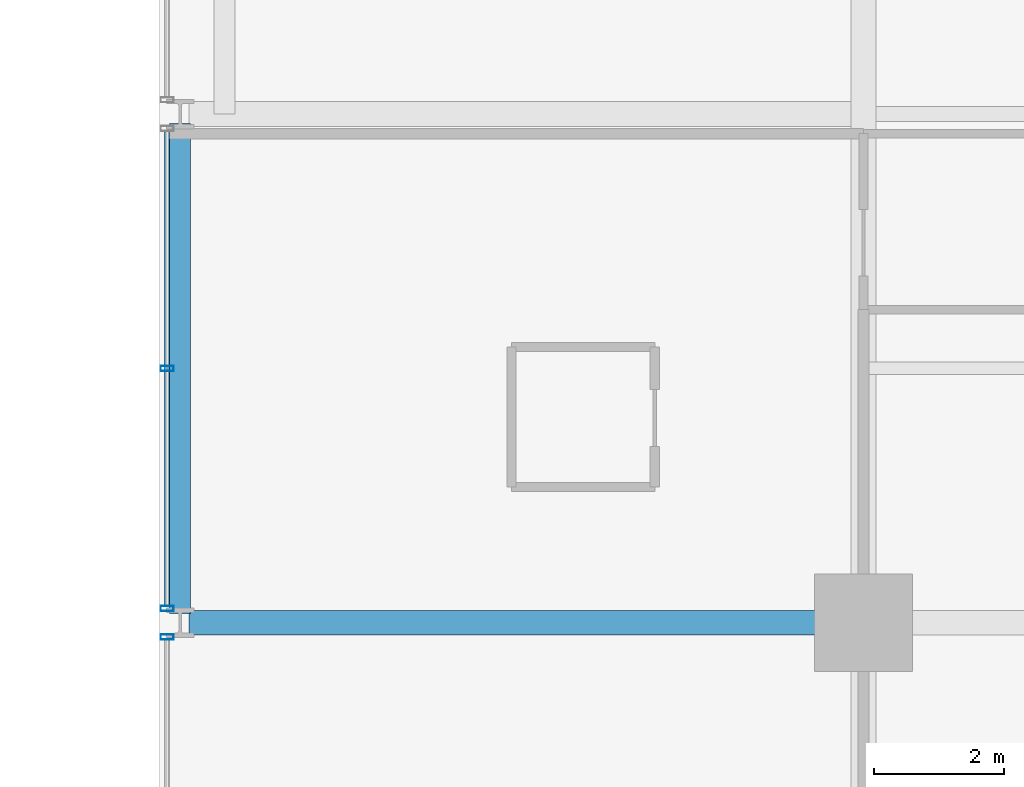
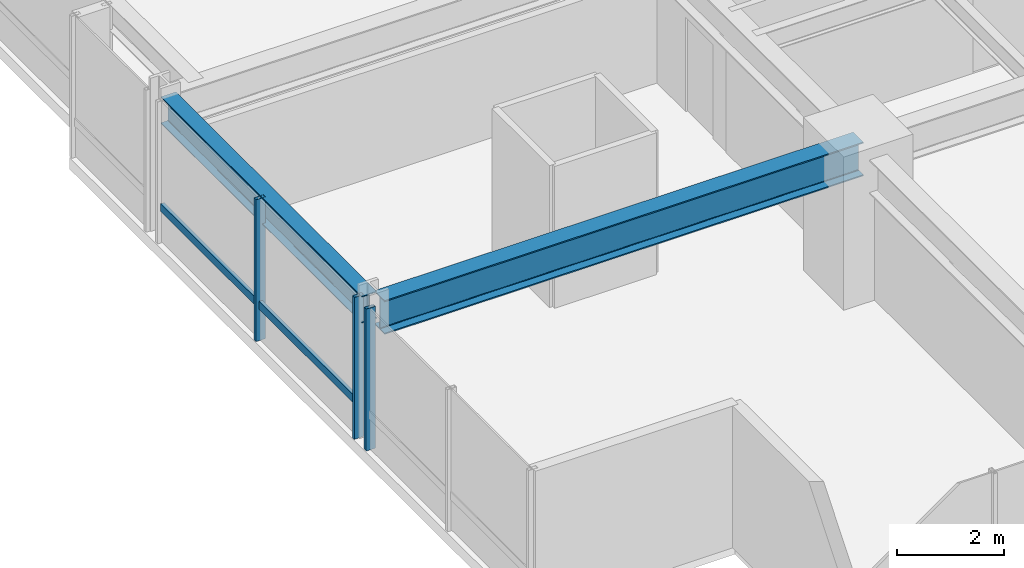
# One storey, part 4 of 33: 4 members, 2 beams, 2 elements without a shape of their own.
"""IFC4 building model written with IfcOpenShell, lengths in metres."""

from ifc_helpers import new_model, si_unit, direction, frame, origin, origin_2d, place, context, subcontext, project, spatial, hollow_rectangle, i_section, extrude, material, layer, layer_set, material_profile, profile_set, type_object, element, aggregate, save


model = new_model("IFC4")

# Units and contexts
model_context = context("Model", 3, precision=1e-05, world=origin(), true_north=direction((0.0, 1.0)))
body_context = subcontext(model_context, "Body", "Model", "MODEL_VIEW")
ifc_project = project(units=[si_unit("LENGTHUNIT", "METRE"), si_unit("AREAUNIT", "SQUARE_METRE"), si_unit("VOLUMEUNIT", "CUBIC_METRE"), si_unit("PLANEANGLEUNIT", "RADIAN"), si_unit("MASSUNIT", "GRAM", prefix="KILO")], contexts=[model_context])

# Site, building, storey
site_placement = place(None, origin())
site = spatial("IfcSite", under=ifc_project, at=site_placement, CompositionType="ELEMENT")
building_placement = place(site_placement, origin())
building = spatial("IfcBuilding", under=site, at=building_placement, Name="Drelvath Grand Hotel", CompositionType="ELEMENT")
storey_placement = place(building_placement, frame((0.0, 0.0, 105.800048828125)))
storey = spatial("IfcBuildingStorey", under=building, at=storey_placement, Name="L26", CompositionType="ELEMENT", Elevation=105.800048828125)

# Curtain wall, member
ifc_material_1 = material(Name="Champagne Bronze Anodised Aluminium Frame", Category="aluminium")
ifc_layer = layer(ifc_material_1, 0.199951171875)
ifc_layer_set = layer_set([ifc_layer], Name="Champagne Bronze Anodised Aluminium Frame")
curtain_wall_type = type_object("IfcCurtainWallType", Name="Stick Curtain Wall CW-03 Champagne Bronze Mid-Rise", PredefinedType="NOTDEFINED", material=ifc_layer_set)
curtain_wall_1_placement = place(storey_placement, origin())
curtain_wall_1 = element("IfcCurtainWall", 1, at=curtain_wall_1_placement, inside=storey, type_object=curtain_wall_type, Name="L26 CW-03 Curtain Wall CW03-L26-WS2", PredefinedType="NOTDEFINED")
ifc_material_profile_1 = material_profile(ifc_material_1, hollow_rectangle(XDim=0.074951171875, YDim=0.179931640625, WallThickness=0.0048828125, at=origin_2d()), Name="HSS180X75X5")
ifc_profile_set_1 = profile_set([ifc_material_profile_1], Name="Champagne Bronze Anodised Aluminium Frame")
member_type_1 = type_object("IfcMemberType", Name="Curtain Wall Horizontal Transom CW-03 HSS180X75X5", PredefinedType="USERDEFINED", material=ifc_profile_set_1)
member_1_placement = place(storey_placement, frame((-26.8798828125, 11.0595703125, 0.81005859375), z_axis=(0.0, 1.0, 0.0), x_axis=(-1.0, 0.0, 0.0)))
member_1 = element("IfcMember", 2, at=member_1_placement, type_object=member_type_1, Name="CW03-L26-WS2 Sill Transom", ObjectType="TRANSOM", PredefinedType="USERDEFINED", context=body_context, shape_type="SweptSolid", body=[
    extrude(hollow_rectangle(XDim=0.074951171875, YDim=0.179931640625, WallThickness=0.0048828125, at=origin_2d()), origin(), (0.0, 0.0, 1.0), 7.28076171875),
])

curtain_wall_2_placement = place(storey_placement, origin())
curtain_wall_2 = element("IfcCurtainWall", 3, at=curtain_wall_2_placement, inside=storey, type_object=curtain_wall_type, Name="L26 CW-03 Curtain Wall CW03-L26-WS1", PredefinedType="NOTDEFINED")
ifc_material_profile_2 = material_profile(ifc_material_1, hollow_rectangle(XDim=0.080078125, YDim=0.199951171875, WallThickness=0.0048828125, at=origin_2d()), Name="HSS200X80X5")
ifc_profile_set_2 = profile_set([ifc_material_profile_2], Name="Champagne Bronze Anodised Aluminium Frame")
member_type_2 = type_object("IfcMemberType", Name="Curtain Wall Vertical Mullion CW-03 HSS200X80X5", PredefinedType="MULLION", material=ifc_profile_set_2)
member_2_placement = place(storey_placement, frame((-26.8798828125, 10.580322265625, 0.0), z_axis=(0.0, 0.0, 1.0), x_axis=(0.0, 1.0, 0.0)))
member_2 = element("IfcMember", 4, at=member_2_placement, type_object=member_type_2, Name="CW03-L26-WS1 Mullion 3", PredefinedType="MULLION", context=body_context, shape_type="SweptSolid", body=[
    extrude(hollow_rectangle(XDim=0.080078125, YDim=0.199951171875, WallThickness=0.0048828125, at=origin_2d()), origin(), (0.0, 0.0, 1.0), 3.239990234375),
])
aggregate(curtain_wall_2, [member_2])

# Member
member_3_placement = place(storey_placement, frame((-26.8798828125, 11.01953125, 0.0), z_axis=(0.0, 0.0, 1.0), x_axis=(0.0, 1.0, 0.0)))
member_3 = element("IfcMember", 5, at=member_3_placement, type_object=member_type_2, Name="CW03-L26-WS2 Mullion 1", PredefinedType="MULLION", context=body_context, shape_type="SweptSolid", body=[
    extrude(hollow_rectangle(XDim=0.080078125, YDim=0.199951171875, WallThickness=0.0048828125, at=origin_2d()), origin(), (0.0, 0.0, 1.0), 3.239990234375),
])

member_4_placement = place(storey_placement, frame((-26.8798828125, 14.699951171875, 0.0), z_axis=(0.0, 0.0, 1.0), x_axis=(0.0, 1.0, 0.0)))
member_4 = element("IfcMember", 6, at=member_4_placement, type_object=member_type_2, Name="CW03-L26-WS2 Mullion 2", PredefinedType="MULLION", context=body_context, shape_type="SweptSolid", body=[
    extrude(hollow_rectangle(XDim=0.080078125, YDim=0.199951171875, WallThickness=0.0048828125, at=origin_2d()), origin(), (0.0, 0.0, 1.0), 3.239990234375),
])

aggregate(curtain_wall_1, [member_3, member_4, member_1])

# Beams
ifc_material_2 = material(Name="Steel ASTM A992 Gr 50", Category="steel")
ifc_material_profile_3 = material_profile(ifc_material_2, i_section(OverallWidth=0.323974609375, OverallDepth=0.611083984375, WebThickness=0.0126953125, FlangeThickness=0.01904296875, FilletRadius=0.02197265625, at=origin_2d()), Name="W24X104")
ifc_profile_set_3 = profile_set([ifc_material_profile_3], Name="Steel ASTM A992 Gr 50")
beam_type_1 = type_object("IfcBeamType", Name="Perimeter Spandrel Beam W24X104", PredefinedType="SPANDREL", material=ifc_profile_set_3)
beam_1_placement = place(storey_placement, frame((-26.679931640625, 10.93994140625, 2.9345703125), z_axis=(0.0, 1.0, 0.0), x_axis=(-1.0, 0.0, 0.0)))
element("IfcBeam", 7, at=beam_1_placement, inside=storey, type_object=beam_type_1, Name="L26 Spandrel West S", PredefinedType="SPANDREL", context=body_context, shape_type="SweptSolid", body=[
    extrude(i_section(OverallWidth=0.323974609375, OverallDepth=0.611083984375, WebThickness=0.0126953125, FlangeThickness=0.01904296875, FilletRadius=0.02197265625, at=origin_2d()), origin(), (0.0, 0.0, 1.0), 7.52001953125),
])
ifc_material_profile_4 = material_profile(ifc_material_2, i_section(OverallWidth=0.380615234375, OverallDepth=0.773193359375, WebThickness=0.0166015625, FlangeThickness=0.027099609375, FilletRadius=0.02490234375, at=origin_2d()), Name="W30X173")
ifc_profile_set_4 = profile_set([ifc_material_profile_4], Name="Steel ASTM A992 Gr 50")
beam_type_2 = type_object("IfcBeamType", Name="Primary Floor Girder W30X173", PredefinedType="BEAM", material=ifc_profile_set_4)
beam_2_placement = place(storey_placement, frame((-26.5400390625, 10.800048828125, 2.853271484375), z_axis=(1.0, 0.0, 0.0), x_axis=(0.0, 1.0, 0.0)))
element("IfcBeam", 8, at=beam_2_placement, inside=storey, type_object=beam_type_2, Name="L26 West Grid Girder C", PredefinedType="BEAM", context=body_context, shape_type="SweptSolid", body=[
    extrude(i_section(OverallWidth=0.380615234375, OverallDepth=0.773193359375, WebThickness=0.0166015625, FlangeThickness=0.027099609375, FilletRadius=0.02490234375, at=origin_2d()), origin(), (0.0, 0.0, 1.0), 10.340087890625),
])

save(model, "model.ifc")
